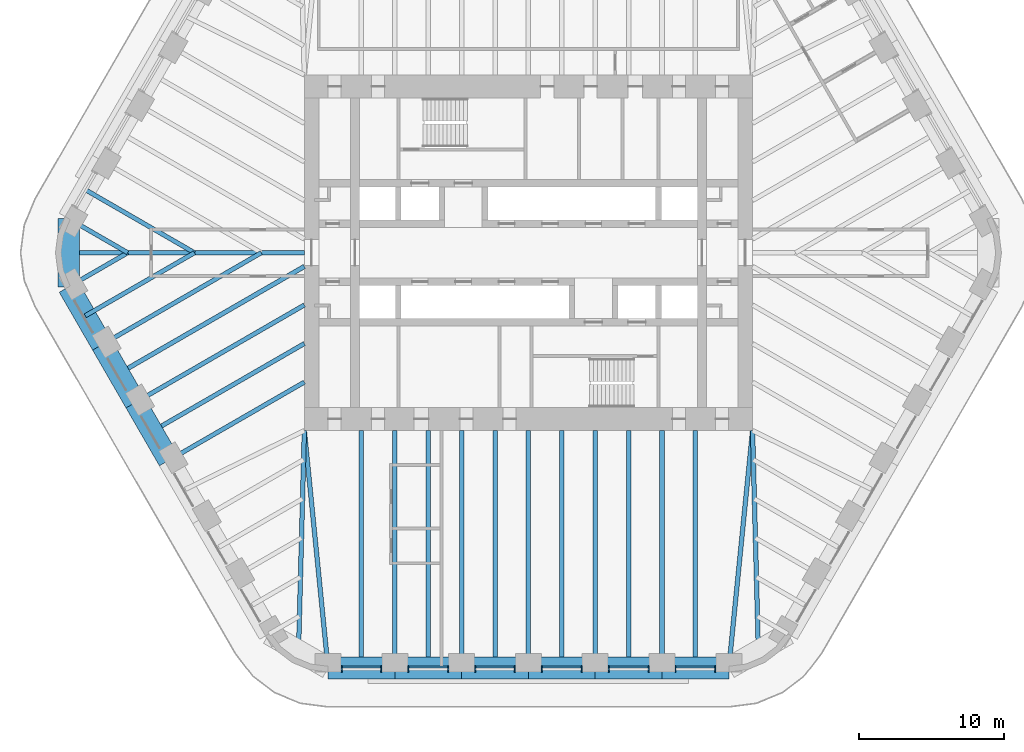
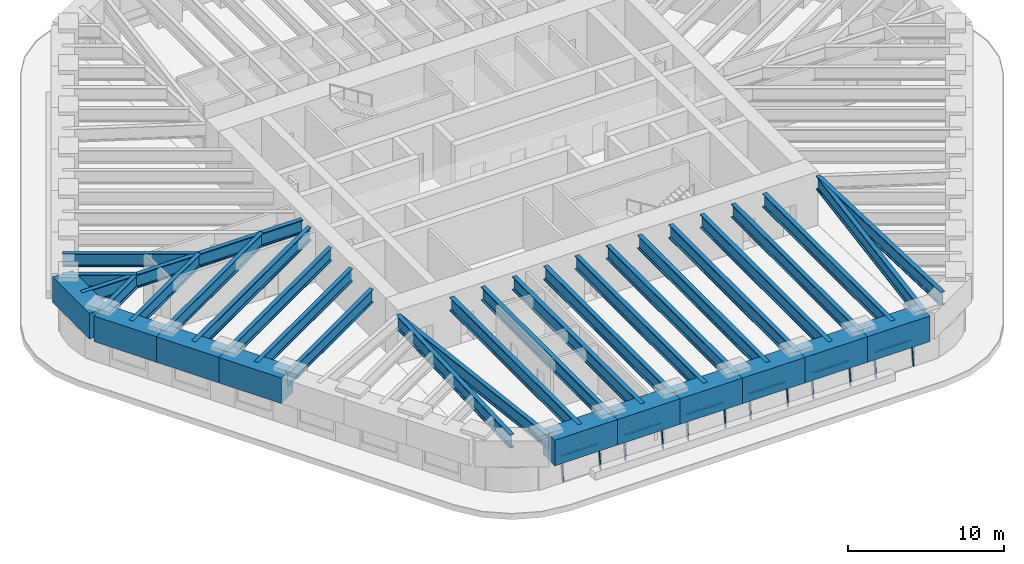
# One storey, part 2 of 12: 35 beams, 18 members, 6 elements without a shape of their own.
"""IFC4 building model written with IfcOpenShell, lengths in metres."""

from ifc_helpers import new_model, si_unit, direction, frame, origin, origin_2d, place, context, subcontext, project, spatial, rectangle, i_section, extrude, material, material_profile, profile_set, type_object, element, aggregate, save


model = new_model("IFC4")

# Units and contexts
model_context = context("Model", 3, precision=1e-05, world=origin(), true_north=direction((0.0, 1.0)))
body_context = subcontext(model_context, "Body", "Model", "MODEL_VIEW")
ifc_project = project(units=[si_unit("LENGTHUNIT", "METRE"), si_unit("AREAUNIT", "SQUARE_METRE"), si_unit("VOLUMEUNIT", "CUBIC_METRE"), si_unit("PLANEANGLEUNIT", "RADIAN"), si_unit("MASSUNIT", "GRAM", prefix="KILO")], contexts=[model_context])

# Site, building, storey
site_placement = place(None, origin())
site = spatial("IfcSite", under=ifc_project, at=site_placement, CompositionType="ELEMENT")
building_placement = place(site_placement, origin())
building = spatial("IfcBuilding", under=site, at=building_placement, Name="Tarfa Lantern Tower", CompositionType="ELEMENT")
storey_placement = place(building_placement, frame((0.0, 0.0, 295.300048828125)))
storey = spatial("IfcBuildingStorey", under=building, at=storey_placement, Name="L67", CompositionType="ELEMENT", Elevation=295.300048828125)

# Curtain wall, members
ifc_material_1 = material(Name="Aluminium framed curtain wall", Category="aluminium")
curtain_wall_type = type_object("IfcCurtainWallType", Name="CW3 CANTED GLAZING HIGH ZONE 1900", PredefinedType="USERDEFINED", material=ifc_material_1)
curtain_wall_1_placement = place(storey_placement, origin())
curtain_wall_1 = element("IfcCurtainWall", 1, at=curtain_wall_1_placement, inside=storey, type_object=curtain_wall_type, Name="CW3 S L67", ObjectType="CURTAIN WALL", PredefinedType="USERDEFINED")
ifc_material_2 = material(Name="Aluminium mullion", Category="aluminium")
ifc_material_profile_1 = material_profile(ifc_material_2, rectangle(XDim=0.06494140625, YDim=0.199951171875, at=origin_2d()), Name="AL MULLION 65x200")
ifc_profile_set_1 = profile_set([ifc_material_profile_1], Name="Aluminium mullion")
member_type_1 = type_object("IfcMemberType", Name="CWM1 MULLION 65x200", PredefinedType="MULLION", material=ifc_profile_set_1)
member_1_placement = place(storey_placement, frame((-12.923828125, -28.89990234375, 0.0), z_axis=(0.0, 0.130461103896, 0.991453428241), x_axis=(-1.0, 0.0, 0.0)))
member_1 = element("IfcMember", 2, at=member_1_placement, type_object=member_type_1, Name="CW3 mullion 1", PredefinedType="MULLION", context=body_context, shape_type="SweptSolid", body=[
    extrude(rectangle(XDim=0.06494140625, YDim=0.199951171875, at=origin_2d()), origin(), (0.0, 0.0, 1.0), 1.916259765625),
])
member_2_placement = place(storey_placement, frame((-10.170166015625, -28.89990234375, 0.0), z_axis=(0.0, 0.130461103896, 0.991453428241), x_axis=(-1.0, 0.0, 0.0)))
member_2 = element("IfcMember", 3, at=member_2_placement, type_object=member_type_1, Name="CW3 mullion 2", PredefinedType="MULLION", context=body_context, shape_type="SweptSolid", body=[
    extrude(rectangle(XDim=0.06494140625, YDim=0.199951171875, at=origin_2d()), origin(), (0.0, 0.0, 1.0), 1.916259765625),
])

curtain_wall_2_placement = place(storey_placement, origin())
curtain_wall_2 = element("IfcCurtainWall", 4, at=curtain_wall_2_placement, inside=storey, type_object=curtain_wall_type, Name="CW3 S L67", ObjectType="CURTAIN WALL", PredefinedType="USERDEFINED")
member_3_placement = place(storey_placement, frame((-8.30517578125, -28.89990234375, 0.0), z_axis=(0.0, 0.130461103896, 0.991453428241), x_axis=(-1.0, 0.0, 0.0)))
member_3 = element("IfcMember", 5, at=member_3_placement, type_object=member_type_1, Name="CW3 mullion 1", PredefinedType="MULLION", context=body_context, shape_type="SweptSolid", body=[
    extrude(rectangle(XDim=0.06494140625, YDim=0.199951171875, at=origin_2d()), origin(), (0.0, 0.0, 1.0), 1.916259765625),
])
member_4_placement = place(storey_placement, frame((-5.55126953125, -28.89990234375, 0.0), z_axis=(0.0, 0.130461103896, 0.991453428241), x_axis=(-1.0, 0.0, 0.0)))
member_4 = element("IfcMember", 6, at=member_4_placement, type_object=member_type_1, Name="CW3 mullion 2", PredefinedType="MULLION", context=body_context, shape_type="SweptSolid", body=[
    extrude(rectangle(XDim=0.06494140625, YDim=0.199951171875, at=origin_2d()), origin(), (0.0, 0.0, 1.0), 1.916259765625),
])

curtain_wall_3_placement = place(storey_placement, origin())
curtain_wall_3 = element("IfcCurtainWall", 7, at=curtain_wall_3_placement, inside=storey, type_object=curtain_wall_type, Name="CW3 S L67", ObjectType="CURTAIN WALL", PredefinedType="USERDEFINED")
member_5_placement = place(storey_placement, frame((-3.686279296875, -28.89990234375, 0.0), z_axis=(0.0, 0.130461103896, 0.991453428241), x_axis=(-1.0, 0.0, 0.0)))
member_5 = element("IfcMember", 8, at=member_5_placement, type_object=member_type_1, Name="CW3 mullion 1", PredefinedType="MULLION", context=body_context, shape_type="SweptSolid", body=[
    extrude(rectangle(XDim=0.06494140625, YDim=0.199951171875, at=origin_2d()), origin(), (0.0, 0.0, 1.0), 1.916259765625),
])
member_6_placement = place(storey_placement, frame((-0.9326171875, -28.89990234375, 0.0), z_axis=(0.0, 0.130461103896, 0.991453428241), x_axis=(-1.0, 0.0, 0.0)))
member_6 = element("IfcMember", 9, at=member_6_placement, type_object=member_type_1, Name="CW3 mullion 2", PredefinedType="MULLION", context=body_context, shape_type="SweptSolid", body=[
    extrude(rectangle(XDim=0.06494140625, YDim=0.199951171875, at=origin_2d()), origin(), (0.0, 0.0, 1.0), 1.916259765625),
])

curtain_wall_4_placement = place(storey_placement, origin())
curtain_wall_4 = element("IfcCurtainWall", 10, at=curtain_wall_4_placement, inside=storey, type_object=curtain_wall_type, Name="CW3 S L67", ObjectType="CURTAIN WALL", PredefinedType="USERDEFINED")
member_7_placement = place(storey_placement, frame((0.9326171875, -28.89990234375, 0.0), z_axis=(0.0, 0.130461103896, 0.991453428241), x_axis=(-1.0, 0.0, 0.0)))
member_7 = element("IfcMember", 11, at=member_7_placement, type_object=member_type_1, Name="CW3 mullion 1", PredefinedType="MULLION", context=body_context, shape_type="SweptSolid", body=[
    extrude(rectangle(XDim=0.06494140625, YDim=0.199951171875, at=origin_2d()), origin(), (0.0, 0.0, 1.0), 1.916259765625),
])
member_8_placement = place(storey_placement, frame((3.686279296875, -28.89990234375, 0.0), z_axis=(0.0, 0.130461103896, 0.991453428241), x_axis=(-1.0, 0.0, 0.0)))
member_8 = element("IfcMember", 12, at=member_8_placement, type_object=member_type_1, Name="CW3 mullion 2", PredefinedType="MULLION", context=body_context, shape_type="SweptSolid", body=[
    extrude(rectangle(XDim=0.06494140625, YDim=0.199951171875, at=origin_2d()), origin(), (0.0, 0.0, 1.0), 1.916259765625),
])

curtain_wall_5_placement = place(storey_placement, origin())
curtain_wall_5 = element("IfcCurtainWall", 13, at=curtain_wall_5_placement, inside=storey, type_object=curtain_wall_type, Name="CW3 S L67", ObjectType="CURTAIN WALL", PredefinedType="USERDEFINED")
member_9_placement = place(storey_placement, frame((5.55126953125, -28.89990234375, 0.0), z_axis=(0.0, 0.130461103896, 0.991453428241), x_axis=(-1.0, 0.0, 0.0)))
member_9 = element("IfcMember", 14, at=member_9_placement, type_object=member_type_1, Name="CW3 mullion 1", PredefinedType="MULLION", context=body_context, shape_type="SweptSolid", body=[
    extrude(rectangle(XDim=0.06494140625, YDim=0.199951171875, at=origin_2d()), origin(), (0.0, 0.0, 1.0), 1.916259765625),
])
member_10_placement = place(storey_placement, frame((8.30517578125, -28.89990234375, 0.0), z_axis=(0.0, 0.130461103896, 0.991453428241), x_axis=(-1.0, 0.0, 0.0)))
member_10 = element("IfcMember", 15, at=member_10_placement, type_object=member_type_1, Name="CW3 mullion 2", PredefinedType="MULLION", context=body_context, shape_type="SweptSolid", body=[
    extrude(rectangle(XDim=0.06494140625, YDim=0.199951171875, at=origin_2d()), origin(), (0.0, 0.0, 1.0), 1.916259765625),
])

curtain_wall_6_placement = place(storey_placement, origin())
curtain_wall_6 = element("IfcCurtainWall", 16, at=curtain_wall_6_placement, inside=storey, type_object=curtain_wall_type, Name="CW3 S L67", ObjectType="CURTAIN WALL", PredefinedType="USERDEFINED")
member_11_placement = place(storey_placement, frame((10.170166015625, -28.89990234375, 0.0), z_axis=(0.0, 0.130461103896, 0.991453428241), x_axis=(-1.0, 0.0, 0.0)))
member_11 = element("IfcMember", 17, at=member_11_placement, type_object=member_type_1, Name="CW3 mullion 1", PredefinedType="MULLION", context=body_context, shape_type="SweptSolid", body=[
    extrude(rectangle(XDim=0.06494140625, YDim=0.199951171875, at=origin_2d()), origin(), (0.0, 0.0, 1.0), 1.916259765625),
])
member_12_placement = place(storey_placement, frame((12.923828125, -28.89990234375, 0.0), z_axis=(0.0, 0.130461103896, 0.991453428241), x_axis=(-1.0, 0.0, 0.0)))
member_12 = element("IfcMember", 18, at=member_12_placement, type_object=member_type_1, Name="CW3 mullion 2", PredefinedType="MULLION", context=body_context, shape_type="SweptSolid", body=[
    extrude(rectangle(XDim=0.06494140625, YDim=0.199951171875, at=origin_2d()), origin(), (0.0, 0.0, 1.0), 1.916259765625),
])

# Member
ifc_material_3 = material(Name="Aluminium transom", Category="aluminium")
ifc_material_profile_2 = material_profile(ifc_material_3, rectangle(XDim=0.14990234375, YDim=0.06494140625, at=origin_2d()), Name="AL TRANSOM 150x65")
ifc_profile_set_2 = profile_set([ifc_material_profile_2], Name="Aluminium transom")
member_type_2 = type_object("IfcMemberType", Name="CWT1 TRANSOM 150x65", PredefinedType="USERDEFINED", material=ifc_profile_set_2)
member_13_placement = place(storey_placement, frame((-12.891357421875, -28.654296875, 1.867431640625), z_axis=(1.0, 0.0, 0.0), x_axis=(0.0, 1.0, 0.0)))
member_13 = element("IfcMember", 19, at=member_13_placement, type_object=member_type_2, Name="CW3 transom 1.2", ObjectType="TRANSOM", PredefinedType="USERDEFINED", context=body_context, shape_type="SweptSolid", body=[
    extrude(rectangle(XDim=0.14990234375, YDim=0.06494140625, at=origin_2d()), origin(), (0.0, 0.0, 1.0), 2.688720703125),
])

aggregate(curtain_wall_1, [member_1, member_2, member_13])

member_14_placement = place(storey_placement, frame((-8.272705078125, -28.654296875, 1.867431640625), z_axis=(1.0, 0.0, 0.0), x_axis=(0.0, 1.0, 0.0)))
member_14 = element("IfcMember", 20, at=member_14_placement, type_object=member_type_2, Name="CW3 transom 1.2", ObjectType="TRANSOM", PredefinedType="USERDEFINED", context=body_context, shape_type="SweptSolid", body=[
    extrude(rectangle(XDim=0.14990234375, YDim=0.06494140625, at=origin_2d()), origin(), (0.0, 0.0, 1.0), 2.68896484375),
])

aggregate(curtain_wall_2, [member_3, member_4, member_14])

member_15_placement = place(storey_placement, frame((-3.65380859375, -28.654296875, 1.867431640625), z_axis=(1.0, 0.0, 0.0), x_axis=(0.0, 1.0, 0.0)))
member_15 = element("IfcMember", 21, at=member_15_placement, type_object=member_type_2, Name="CW3 transom 1.2", ObjectType="TRANSOM", PredefinedType="USERDEFINED", context=body_context, shape_type="SweptSolid", body=[
    extrude(rectangle(XDim=0.14990234375, YDim=0.06494140625, at=origin_2d()), origin(), (0.0, 0.0, 1.0), 2.688720703125),
])

aggregate(curtain_wall_3, [member_5, member_6, member_15])

member_16_placement = place(storey_placement, frame((0.965087890625, -28.654296875, 1.867431640625), z_axis=(1.0, 0.0, 0.0), x_axis=(0.0, 1.0, 0.0)))
member_16 = element("IfcMember", 22, at=member_16_placement, type_object=member_type_2, Name="CW3 transom 1.2", ObjectType="TRANSOM", PredefinedType="USERDEFINED", context=body_context, shape_type="SweptSolid", body=[
    extrude(rectangle(XDim=0.14990234375, YDim=0.06494140625, at=origin_2d()), origin(), (0.0, 0.0, 1.0), 2.688720703125),
])

aggregate(curtain_wall_4, [member_7, member_8, member_16])

member_17_placement = place(storey_placement, frame((5.583740234375, -28.654296875, 1.867431640625), z_axis=(1.0, 0.0, 0.0), x_axis=(0.0, 1.0, 0.0)))
member_17 = element("IfcMember", 23, at=member_17_placement, type_object=member_type_2, Name="CW3 transom 1.2", ObjectType="TRANSOM", PredefinedType="USERDEFINED", context=body_context, shape_type="SweptSolid", body=[
    extrude(rectangle(XDim=0.14990234375, YDim=0.06494140625, at=origin_2d()), origin(), (0.0, 0.0, 1.0), 2.68896484375),
])

aggregate(curtain_wall_5, [member_9, member_10, member_17])

member_18_placement = place(storey_placement, frame((10.20263671875, -28.654296875, 1.867431640625), z_axis=(1.0, 0.0, 0.0), x_axis=(0.0, 1.0, 0.0)))
member_18 = element("IfcMember", 24, at=member_18_placement, type_object=member_type_2, Name="CW3 transom 1.2", ObjectType="TRANSOM", PredefinedType="USERDEFINED", context=body_context, shape_type="SweptSolid", body=[
    extrude(rectangle(XDim=0.14990234375, YDim=0.06494140625, at=origin_2d()), origin(), (0.0, 0.0, 1.0), 2.688720703125),
])

aggregate(curtain_wall_6, [member_11, member_12, member_18])

# Beams
ifc_material_4 = material(Name="Concrete C80/95", Category="concrete")
ifc_material_profile_3 = material_profile(ifc_material_4, rectangle(XDim=1.5, YDim=2.0, at=origin_2d()), Name="RC 1500x2000")
ifc_profile_set_3 = profile_set([ifc_material_profile_3], Name="Concrete C80/95")
beam_type_1 = type_object("IfcBeamType", Name="RB3 RC 1500x2000", PredefinedType="BEAM", material=ifc_profile_set_3)
beam_1_placement = place(storey_placement, frame((-31.800537109375, 2.360107421875, 2.89990234375), z_axis=(0.0, -1.0, 0.0), x_axis=(1.0, 0.0, 0.0)))
element("IfcBeam", 25, at=beam_1_placement, inside=storey, type_object=beam_type_1, Name="Edge beam NW6", PredefinedType="BEAM", context=body_context, shape_type="SweptSolid", body=[
    extrude(rectangle(XDim=1.5, YDim=2.0, at=origin_2d()), origin(), (0.0, 0.0, 1.0), 4.72021484375),
])
beam_2_placement = place(storey_placement, frame((-31.800537109375, -2.360107421875, 2.89990234375), z_axis=(0.500027479704, -0.866009537788, 0.0), x_axis=(0.866009537788, 0.500027479704, 0.0)))
element("IfcBeam", 26, at=beam_2_placement, inside=storey, type_object=beam_type_1, Name="Edge beam SW0", PredefinedType="BEAM", context=body_context, shape_type="SweptSolid", body=[
    extrude(rectangle(XDim=1.5, YDim=2.0, at=origin_2d()), origin(), (0.0, 0.0, 1.0), 4.618896484375),
])
for number, where, z_axis, x_axis, name in (
    (27, (-29.490966796875, -6.360107421875, 2.89990234375), (0.499987836815, -0.866032426089, 0.0), (0.866032426089, 0.499987836815, 0.0), "Edge beam SW1"),
    (28, (-27.181640625, -10.360107421875, 2.89990234375), (0.499987836815, -0.866032426089, 0.0), (0.866032426089, 0.499987836815, 0.0), "Edge beam SW2"),
):
    element("IfcBeam", number, at=place(storey_placement, frame(where, z_axis=z_axis, x_axis=x_axis)), inside=storey, type_object=beam_type_1, Name=name, PredefinedType="BEAM", context=body_context, shape_type="SweptSolid", body=[
        extrude(rectangle(XDim=1.5, YDim=2.0, at=origin_2d()), origin(), (0.0, 0.0, 1.0), 4.61865234375),
    ])
beam_3_placement = place(storey_placement, frame((-13.8564453125, -28.719970703125, 2.89990234375), z_axis=(1.0, 0.0, 0.0), x_axis=(0.0, 1.0, 0.0)))
element("IfcBeam", 29, at=beam_3_placement, inside=storey, type_object=beam_type_1, Name="Edge beam S0", PredefinedType="BEAM", context=body_context, shape_type="SweptSolid", body=[
    extrude(rectangle(XDim=1.5, YDim=2.0, at=origin_2d()), origin(), (0.0, 0.0, 1.0), 4.618896484375),
])
beam_4_placement = place(storey_placement, frame((-9.237548828125, -28.719970703125, 2.89990234375), z_axis=(1.0, 0.0, 0.0), x_axis=(0.0, 1.0, 0.0)))
element("IfcBeam", 30, at=beam_4_placement, inside=storey, type_object=beam_type_1, Name="Edge beam S1", PredefinedType="BEAM", context=body_context, shape_type="SweptSolid", body=[
    extrude(rectangle(XDim=1.5, YDim=2.0, at=origin_2d()), origin(), (0.0, 0.0, 1.0), 4.61865234375),
])
for number, where, z_axis, x_axis, name in (
    (31, (-4.618896484375, -28.719970703125, 2.89990234375), (1.0, 0.0, 0.0), (0.0, 1.0, 0.0), "Edge beam S2"),
    (32, (0.0, -28.719970703125, 2.89990234375), (1.0, 0.0, 0.0), (0.0, 1.0, 0.0), "Edge beam S3"),
):
    element("IfcBeam", number, at=place(storey_placement, frame(where, z_axis=z_axis, x_axis=x_axis)), inside=storey, type_object=beam_type_1, Name=name, PredefinedType="BEAM", context=body_context, shape_type="SweptSolid", body=[
        extrude(rectangle(XDim=1.5, YDim=2.0, at=origin_2d()), origin(), (0.0, 0.0, 1.0), 4.618896484375),
    ])
beam_5_placement = place(storey_placement, frame((4.618896484375, -28.719970703125, 2.89990234375), z_axis=(1.0, 0.0, 0.0), x_axis=(0.0, 1.0, 0.0)))
element("IfcBeam", 33, at=beam_5_placement, inside=storey, type_object=beam_type_1, Name="Edge beam S4", PredefinedType="BEAM", context=body_context, shape_type="SweptSolid", body=[
    extrude(rectangle(XDim=1.5, YDim=2.0, at=origin_2d()), origin(), (0.0, 0.0, 1.0), 4.61865234375),
])
beam_6_placement = place(storey_placement, frame((9.237548828125, -28.719970703125, 2.89990234375), z_axis=(1.0, 0.0, 0.0), x_axis=(0.0, 1.0, 0.0)))
element("IfcBeam", 34, at=beam_6_placement, inside=storey, type_object=beam_type_1, Name="Edge beam S5", PredefinedType="BEAM", context=body_context, shape_type="SweptSolid", body=[
    extrude(rectangle(XDim=1.5, YDim=2.0, at=origin_2d()), origin(), (0.0, 0.0, 1.0), 4.618896484375),
])
ifc_material_5 = material(Name="Steel S460M", Category="steel")
ifc_material_profile_4 = material_profile(ifc_material_5, i_section(OverallWidth=0.302001953125, OverallDepth=1.008056640625, WebThickness=0.02099609375, FlangeThickness=0.0400390625, FilletRadius=0.030029296875, at=origin_2d()), Name="UB1016x305x349")
ifc_profile_set_4 = profile_set([ifc_material_profile_4], Name="Steel S460M")
beam_type_2 = type_object("IfcBeamType", Name="UB1016x305x349", PredefinedType="BEAM", material=ifc_profile_set_4)
for number, where, z_axis, x_axis, name in (
    (35, (-31.800537109375, 2.360107421875, 3.39599609375), (0.866015897305, -0.500016465344, 0.0), (0.500016465344, 0.866015897305, 0.0), "Floor beam NW6"),
    (36, (-31.800537109375, -2.360107421875, 3.39599609375), (0.866015897305, 0.500016465344, 0.0), (-0.500016465344, 0.866015897305, 0.0), "Floor beam SW0"),
):
    element("IfcBeam", number, at=place(storey_placement, frame(where, z_axis=z_axis, x_axis=x_axis)), inside=storey, type_object=beam_type_2, Name=name, PredefinedType="BEAM", context=body_context, shape_type="SweptSolid", body=[
        extrude(i_section(OverallWidth=0.302001953125, OverallDepth=1.008056640625, WebThickness=0.02099609375, FlangeThickness=0.0400390625, FilletRadius=0.030029296875, at=origin_2d()), origin(), (0.0, 0.0, 1.0), 4.719970703125),
    ])
beam_7_placement = place(storey_placement, frame((-29.490966796875, -6.360107421875, 3.39599609375), z_axis=(0.866022258038, 0.500005448553, 0.0), x_axis=(-0.500005448553, 0.866022258038, 0.0)))
element("IfcBeam", 37, at=beam_7_placement, inside=storey, type_object=beam_type_2, Name="Floor beam SW1", PredefinedType="BEAM", context=body_context, shape_type="SweptSolid", body=[
    extrude(i_section(OverallWidth=0.302001953125, OverallDepth=1.008056640625, WebThickness=0.02099609375, FlangeThickness=0.0400390625, FilletRadius=0.030029296875, at=origin_2d()), origin(), (0.0, 0.0, 1.0), 12.719970703125),
])
beam_8_placement = place(storey_placement, frame((-27.181640625, -10.360107421875, 3.39599609375), z_axis=(0.866018002818, 0.500012818631, 0.0), x_axis=(-0.500012818631, 0.866018002818, 0.0)))
element("IfcBeam", 38, at=beam_8_placement, inside=storey, type_object=beam_type_2, Name="Floor beam SW2", PredefinedType="BEAM", context=body_context, shape_type="SweptSolid", body=[
    extrude(i_section(OverallWidth=0.302001953125, OverallDepth=1.008056640625, WebThickness=0.02099609375, FlangeThickness=0.0400390625, FilletRadius=0.030029296875, at=origin_2d()), origin(), (0.0, 0.0, 1.0), 13.489013671875),
])
beam_9_placement = place(storey_placement, frame((-24.872314453125, -14.360107421875, 3.39599609375), z_axis=(0.8660244219, 0.500001700669, 0.0), x_axis=(-0.500001700669, 0.8660244219, 0.0)))
element("IfcBeam", 39, at=beam_9_placement, inside=storey, type_object=beam_type_2, Name="Floor beam SW3", PredefinedType="BEAM", context=body_context, shape_type="SweptSolid", body=[
    extrude(i_section(OverallWidth=0.302001953125, OverallDepth=1.008056640625, WebThickness=0.02099609375, FlangeThickness=0.0400390625, FilletRadius=0.030029296875, at=origin_2d()), origin(), (0.0, 0.0, 1.0), 10.822265625),
])
for number, where, z_axis, x_axis, name in (
    (40, (-30.645751953125, 4.360107421875, 3.39599609375), (0.866020536561, -0.500008430184, 0.0), (0.500008430184, 0.866020536561, 0.0), "Floor beam NW5M"),
    (41, (-30.645751953125, -4.360107421875, 3.39599609375), (0.866020536561, 0.500008430184, 0.0), (-0.500008430184, 0.866020536561, 0.0), "Floor beam SW0M"),
):
    element("IfcBeam", number, at=place(storey_placement, frame(where, z_axis=z_axis, x_axis=x_axis)), inside=storey, type_object=beam_type_2, Name=name, PredefinedType="BEAM", context=body_context, shape_type="SweptSolid", body=[
        extrude(i_section(OverallWidth=0.302001953125, OverallDepth=1.008056640625, WebThickness=0.02099609375, FlangeThickness=0.0400390625, FilletRadius=0.030029296875, at=origin_2d()), origin(), (0.0, 0.0, 1.0), 8.719970703125),
    ])
beam_10_placement = place(storey_placement, frame((-26.02685546875, -12.360107421875, 3.39599609375), z_axis=(0.866018349627, 0.500012217959, 0.0), x_axis=(-0.500012217959, 0.866018349627, 0.0)))
element("IfcBeam", 42, at=beam_10_placement, inside=storey, type_object=beam_type_2, Name="Floor beam SW2M", PredefinedType="BEAM", context=body_context, shape_type="SweptSolid", body=[
    extrude(i_section(OverallWidth=0.302001953125, OverallDepth=1.008056640625, WebThickness=0.02099609375, FlangeThickness=0.0400390625, FilletRadius=0.030029296875, at=origin_2d()), origin(), (0.0, 0.0, 1.0), 12.155517578125),
])
ifc_material_profile_5 = material_profile(ifc_material_5, i_section(OverallWidth=0.314208984375, OverallDepth=1.055908203125, WebThickness=0.035888671875, FlangeThickness=0.06396484375, FilletRadius=0.030029296875, at=origin_2d()), Name="UB1016x305x584")
ifc_profile_set_5 = profile_set([ifc_material_profile_5], Name="Steel S460M")
beam_type_3 = type_object("IfcBeamType", Name="UB1016x305x584", PredefinedType="BEAM", material=ifc_profile_set_5)
beam_11_placement = place(storey_placement, frame((-15.5, 0.0, 3.3720703125), z_axis=(-1.0, 0.0, 0.0), x_axis=(0.0, -1.0, 0.0)))
element("IfcBeam", 43, at=beam_11_placement, inside=storey, type_object=beam_type_3, Name="Hip girder W", PredefinedType="BEAM", context=body_context, shape_type="SweptSolid", body=[
    extrude(i_section(OverallWidth=0.314208984375, OverallDepth=1.055908203125, WebThickness=0.035888671875, FlangeThickness=0.06396484375, FilletRadius=0.030029296875, at=origin_2d()), origin(), (0.0, 0.0, 1.0), 16.300537109375),
])
for number, where, z_axis, x_axis, name in (
    (44, (-15.5, -12.300048828125, 3.3720703125), (-0.026247301989, -0.999655480222, 0.0), (0.999655480222, -0.026247301989, 0.0), "Hip girder SW"),
    (45, (15.5, -12.300048828125, 3.3720703125), (0.026247301989, -0.999655480222, 0.0), (0.999655480222, 0.026247301989, 0.0), "Hip girder SE"),
):
    element("IfcBeam", number, at=place(storey_placement, frame(where, z_axis=z_axis, x_axis=x_axis)), inside=storey, type_object=beam_type_3, Name=name, PredefinedType="BEAM", context=body_context, shape_type="SweptSolid", body=[
        extrude(i_section(OverallWidth=0.314208984375, OverallDepth=1.055908203125, WebThickness=0.035888671875, FlangeThickness=0.06396484375, FilletRadius=0.030029296875, at=origin_2d()), origin(), (0.0, 0.0, 1.0), 15.245361328125),
    ])
beam_12_placement = place(storey_placement, frame((-13.8564453125, -28.719970703125, 3.3720703125), z_axis=(-0.099597466746, 0.995027810977, 0.0), x_axis=(-0.995027810977, -0.099597466746, 0.0)))
element("IfcBeam", 46, at=beam_12_placement, inside=storey, type_object=beam_type_3, Name="Floor beam S0", PredefinedType="BEAM", context=body_context, shape_type="SweptSolid", body=[
    extrude(i_section(OverallWidth=0.314208984375, OverallDepth=1.055908203125, WebThickness=0.035888671875, FlangeThickness=0.06396484375, FilletRadius=0.030029296875, at=origin_2d()), origin(), (0.0, 0.0, 1.0), 16.501953125),
])
for number, where, z_axis, x_axis, name in (
    (47, (-9.237548828125, -28.719970703125, 3.3720703125), (0.0, 1.0, 0.0), (-1.0, 0.0, 0.0), "Floor beam S1"),
    (48, (-4.618896484375, -28.719970703125, 3.3720703125), (0.0, 1.0, 0.0), (-1.0, 0.0, 0.0), "Floor beam S2"),
    (49, (0.0, -28.719970703125, 3.3720703125), (0.0, 1.0, 0.0), (-1.0, 0.0, 0.0), "Floor beam S3"),
    (50, (4.618896484375, -28.719970703125, 3.3720703125), (0.0, 1.0, 0.0), (-1.0, 0.0, 0.0), "Floor beam S4"),
    (51, (9.237548828125, -28.719970703125, 3.3720703125), (0.0, 1.0, 0.0), (-1.0, 0.0, 0.0), "Floor beam S5"),
):
    element("IfcBeam", number, at=place(storey_placement, frame(where, z_axis=z_axis, x_axis=x_axis)), inside=storey, type_object=beam_type_3, Name=name, PredefinedType="BEAM", context=body_context, shape_type="SweptSolid", body=[
        extrude(i_section(OverallWidth=0.314208984375, OverallDepth=1.055908203125, WebThickness=0.035888671875, FlangeThickness=0.06396484375, FilletRadius=0.030029296875, at=origin_2d()), origin(), (0.0, 0.0, 1.0), 16.419921875),
    ])
beam_13_placement = place(storey_placement, frame((13.8564453125, -28.719970703125, 3.3720703125), z_axis=(0.099597466746, 0.995027810977, 0.0), x_axis=(-0.995027810977, 0.099597466746, 0.0)))
element("IfcBeam", 52, at=beam_13_placement, inside=storey, type_object=beam_type_3, Name="Floor beam S6", PredefinedType="BEAM", context=body_context, shape_type="SweptSolid", body=[
    extrude(i_section(OverallWidth=0.314208984375, OverallDepth=1.055908203125, WebThickness=0.035888671875, FlangeThickness=0.06396484375, FilletRadius=0.030029296875, at=origin_2d()), origin(), (0.0, 0.0, 1.0), 16.501953125),
])
beam_14_placement = place(storey_placement, frame((-28.33642578125, -8.360107421875, 3.3720703125), z_axis=(0.866024850702, 0.500000957966, 0.0), x_axis=(-0.500000957966, 0.866024850702, 0.0)))
element("IfcBeam", 53, at=beam_14_placement, inside=storey, type_object=beam_type_3, Name="Floor beam SW1M", PredefinedType="BEAM", context=body_context, shape_type="SweptSolid", body=[
    extrude(i_section(OverallWidth=0.314208984375, OverallDepth=1.055908203125, WebThickness=0.035888671875, FlangeThickness=0.06396484375, FilletRadius=0.030029296875, at=origin_2d()), origin(), (0.0, 0.0, 1.0), 14.822265625),
])
for number, where, z_axis, x_axis, name in (
    (54, (-11.547119140625, -28.719970703125, 3.3720703125), (0.0, 1.0, 0.0), (-1.0, 0.0, 0.0), "Floor beam S0M"),
    (55, (-6.92822265625, -28.719970703125, 3.3720703125), (0.0, 1.0, 0.0), (-1.0, 0.0, 0.0), "Floor beam S1M"),
    (56, (-2.309326171875, -28.719970703125, 3.3720703125), (0.0, 1.0, 0.0), (-1.0, 0.0, 0.0), "Floor beam S2M"),
    (57, (2.309326171875, -28.719970703125, 3.3720703125), (0.0, 1.0, 0.0), (-1.0, 0.0, 0.0), "Floor beam S3M"),
    (58, (6.92822265625, -28.719970703125, 3.3720703125), (0.0, 1.0, 0.0), (-1.0, 0.0, 0.0), "Floor beam S4M"),
    (59, (11.547119140625, -28.719970703125, 3.3720703125), (0.0, 1.0, 0.0), (-1.0, 0.0, 0.0), "Floor beam S5M"),
):
    element("IfcBeam", number, at=place(storey_placement, frame(where, z_axis=z_axis, x_axis=x_axis)), inside=storey, type_object=beam_type_3, Name=name, PredefinedType="BEAM", context=body_context, shape_type="SweptSolid", body=[
        extrude(i_section(OverallWidth=0.314208984375, OverallDepth=1.055908203125, WebThickness=0.035888671875, FlangeThickness=0.06396484375, FilletRadius=0.030029296875, at=origin_2d()), origin(), (0.0, 0.0, 1.0), 16.419921875),
    ])

save(model, "model.ifc")
